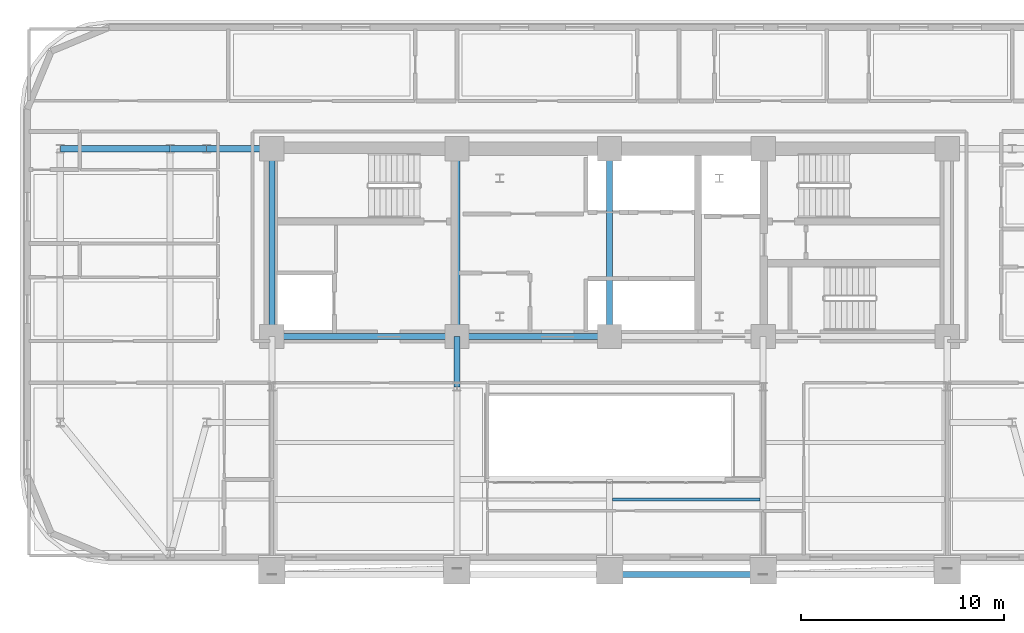
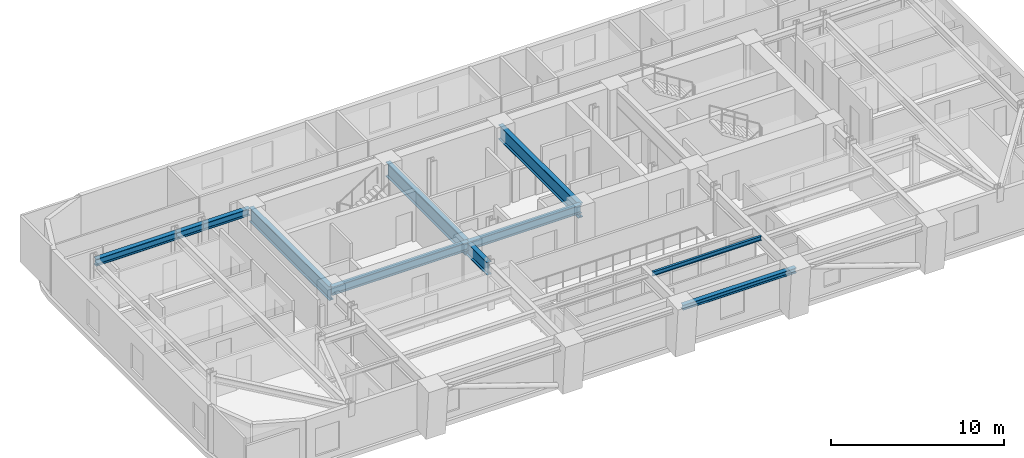
# One storey, part 3 of 14: 11 beams.
"""IFC4 building model written with IfcOpenShell, lengths in metres."""

from ifc_helpers import new_model, si_unit, direction, frame, origin, origin_2d, place, context, subcontext, project, spatial, i_section, extrude, material, material_profile, profile_set, type_object, element, save


model = new_model("IFC4")

# Units and contexts
model_context = context("Model", 3, precision=1e-05, world=origin(), true_north=direction((0.0, 1.0)))
body_context = subcontext(model_context, "Body", "Model", "MODEL_VIEW")
ifc_project = project(units=[si_unit("LENGTHUNIT", "METRE"), si_unit("AREAUNIT", "SQUARE_METRE"), si_unit("VOLUMEUNIT", "CUBIC_METRE"), si_unit("PLANEANGLEUNIT", "RADIAN"), si_unit("MASSUNIT", "GRAM", prefix="KILO")], contexts=[model_context])

# Site, building, storey
site_placement = place(None, origin())
site = spatial("IfcSite", under=ifc_project, at=site_placement, CompositionType="ELEMENT")
building_placement = place(site_placement, origin())
building = spatial("IfcBuilding", under=site, at=building_placement, Name="Zarnavel Station Tower", CompositionType="ELEMENT")
storey_placement = place(building_placement, frame((0.0, 0.0, 108.300048828125)))
storey = spatial("IfcBuildingStorey", under=building, at=storey_placement, Name="L29", CompositionType="ELEMENT", Elevation=108.300048828125)

# Beams
ifc_material_1 = material(Name="Steel S355J2", Category="steel")
ifc_material_profile_1 = material_profile(ifc_material_1, i_section(OverallWidth=0.300048828125, OverallDepth=0.360107421875, WebThickness=0.012451171875, FlangeThickness=0.0224609375, FilletRadius=0.027099609375, at=origin_2d()), Name="HEB360")
ifc_profile_set_1 = profile_set([ifc_material_profile_1], Name="Steel S355J2")
beam_type_1 = type_object("IfcBeamType", Name="EB_HEB360", PredefinedType="SPANDREL", material=ifc_profile_set_1)
beam_1_placement = place(storey_placement, frame((28.800048828125, 16.1201171875, 3.06005859375), z_axis=(1.0, 0.0, 0.0), x_axis=(0.0, 1.0, 0.0)))
element("IfcBeam", 1, at=beam_1_placement, inside=storey, type_object=beam_type_1, Name="L29 South Raked Spandrel 3", PredefinedType="SPANDREL", context=body_context, shape_type="SweptSolid", body=[
    extrude(i_section(OverallWidth=0.300048828125, OverallDepth=0.360107421875, WebThickness=0.012451171875, FlangeThickness=0.0224609375, FilletRadius=0.027099609375, at=origin_2d()), origin(), (0.0, 0.0, 1.0), 7.550048828125),
])
ifc_material_2 = material(Name="Steel S355J2", Category="steel")
ifc_material_profile_2 = material_profile(ifc_material_2, i_section(OverallWidth=0.300048828125, OverallDepth=0.5, WebThickness=0.014404296875, FlangeThickness=0.028076171875, FilletRadius=0.027099609375, at=origin_2d()), Name="HEB500")
ifc_profile_set_2 = profile_set([ifc_material_profile_2], Name="Steel S355J2")
beam_type_2 = type_object("IfcBeamType", Name="FG_HEB500", PredefinedType="USERDEFINED", material=ifc_profile_set_2)
beam_2_placement = place(storey_placement, frame((1.800048828125, 37.050048828125, 2.989990234375), z_axis=(1.0, 0.0, 0.0), x_axis=(0.0, 1.0, 0.0)))
element("IfcBeam", 2, at=beam_2_placement, inside=storey, type_object=beam_type_2, Name="L29 West Wing North Tie 1", ObjectType="GIRDER", PredefinedType="USERDEFINED", context=body_context, shape_type="SweptSolid", body=[
    extrude(i_section(OverallWidth=0.300048828125, OverallDepth=0.5, WebThickness=0.014404296875, FlangeThickness=0.028076171875, FilletRadius=0.027099609375, at=origin_2d()), origin(), (0.0, 0.0, 1.0), 5.39990234375),
])
beam_3_placement = place(storey_placement, frame((7.199951171875, 37.050048828125, 2.989990234375), z_axis=(1.0, 0.0, 0.0), x_axis=(0.0, 1.0, 0.0)))
element("IfcBeam", 3, at=beam_3_placement, inside=storey, type_object=beam_type_2, Name="L29 West Wing North Tie 2", ObjectType="GIRDER", PredefinedType="USERDEFINED", context=body_context, shape_type="SweptSolid", body=[
    extrude(i_section(OverallWidth=0.300048828125, OverallDepth=0.5, WebThickness=0.014404296875, FlangeThickness=0.028076171875, FilletRadius=0.027099609375, at=origin_2d()), origin(), (0.0, 0.0, 1.0), 1.800048828125),
])
beam_4_placement = place(storey_placement, frame((9.0, 37.050048828125, 2.989990234375), z_axis=(1.0, 0.0, 0.0), x_axis=(0.0, 1.0, 0.0)))
element("IfcBeam", 4, at=beam_4_placement, inside=storey, type_object=beam_type_2, Name="L29 West Wing North Tie 3", ObjectType="GIRDER", PredefinedType="USERDEFINED", context=body_context, shape_type="SweptSolid", body=[
    extrude(i_section(OverallWidth=0.300048828125, OverallDepth=0.5, WebThickness=0.014404296875, FlangeThickness=0.028076171875, FilletRadius=0.027099609375, at=origin_2d()), origin(), (0.0, 0.0, 1.0), 3.054931640625),
])
ifc_material_3 = material(Name="Steel S355J2", Category="steel")
ifc_material_profile_3 = material_profile(ifc_material_3, i_section(OverallWidth=0.300048828125, OverallDepth=0.60009765625, WebThickness=0.015380859375, FlangeThickness=0.030029296875, FilletRadius=0.027099609375, at=origin_2d()), Name="HEB600")
ifc_profile_set_3 = profile_set([ifc_material_profile_3], Name="Steel S355J2")
beam_type_3 = type_object("IfcBeamType", Name="FG_HEB600", PredefinedType="USERDEFINED", material=ifc_profile_set_3)
beam_5_placement = place(storey_placement, frame((12.199951171875, 27.820068359375, 2.93994140625), z_axis=(1.0, 0.0, 0.0), x_axis=(0.0, 1.0, 0.0)))
element("IfcBeam", 5, at=beam_5_placement, inside=storey, type_object=beam_type_3, Name="L29 Core Front Coupling Beam 1", ObjectType="GIRDER", PredefinedType="USERDEFINED", context=body_context, shape_type="SweptSolid", body=[
    extrude(i_section(OverallWidth=0.300048828125, OverallDepth=0.60009765625, WebThickness=0.015380859375, FlangeThickness=0.030029296875, FilletRadius=0.027099609375, at=origin_2d()), origin(), (0.0, 0.0, 1.0), 9.10009765625),
])
beam_6_placement = place(storey_placement, frame((21.300048828125, 27.820068359375, 2.93994140625), z_axis=(1.0, 0.0, 0.0), x_axis=(0.0, 1.0, 0.0)))
element("IfcBeam", 6, at=beam_6_placement, inside=storey, type_object=beam_type_3, Name="L29 Core Front Coupling Beam 2", ObjectType="GIRDER", PredefinedType="USERDEFINED", context=body_context, shape_type="SweptSolid", body=[
    extrude(i_section(OverallWidth=0.300048828125, OverallDepth=0.60009765625, WebThickness=0.015380859375, FlangeThickness=0.030029296875, FilletRadius=0.027099609375, at=origin_2d()), origin(), (0.0, 0.0, 1.0), 7.5),
])
ifc_material_4 = material(Name="Steel S355J2", Category="steel")
ifc_material_profile_4 = material_profile(ifc_material_4, i_section(OverallWidth=0.14990234375, OverallDepth=0.300048828125, WebThickness=0.007080078125, FlangeThickness=0.0107421875, FilletRadius=0.014892578125, at=origin_2d()), Name="IPE300")
ifc_profile_set_4 = profile_set([ifc_material_profile_4], Name="Steel S355J2")
beam_type_4 = type_object("IfcBeamType", Name="FJ_IPE300", PredefinedType="JOIST", material=ifc_profile_set_4)
beam_7_placement = place(storey_placement, frame((28.945068359375, 19.8134765625, 3.08984375), z_axis=(1.0, 0.0, 0.0), x_axis=(0.0, 1.0, 0.0)))
element("IfcBeam", 7, at=beam_7_placement, inside=storey, type_object=beam_type_4, Name="L29 Mid-East Joist 1", PredefinedType="JOIST", context=body_context, shape_type="SweptSolid", body=[
    extrude(i_section(OverallWidth=0.14990234375, OverallDepth=0.300048828125, WebThickness=0.007080078125, FlangeThickness=0.0107421875, FilletRadius=0.014892578125, at=origin_2d()), origin(), (0.0, 0.0, 1.0), 7.260009765625),
])
ifc_material_5 = material(Name="Steel S460M", Category="steel")
ifc_material_profile_5 = material_profile(ifc_material_5, i_section(OverallWidth=0.302001953125, OverallDepth=1.008056640625, WebThickness=0.02099609375, FlangeThickness=0.0400390625, FilletRadius=0.030029296875, at=origin_2d()), Name="HEM1000")
ifc_profile_set_5 = profile_set([ifc_material_profile_5], Name="Steel S460M")
beam_type_5 = type_object("IfcBeamType", Name="TG_HEM1000", PredefinedType="USERDEFINED", material=ifc_profile_set_5)
for number, where, z_axis, x_axis, name in (
    (8, (12.199951171875, 27.820068359375, 2.73583984375), (0.0, 1.0, 0.0), (-1.0, 0.0, 0.0), "L29 Core Spine Coupling Girder 1"),
    (9, (21.300048828125, 27.820068359375, 2.73583984375), (0.0, 1.0, 0.0), (-1.0, 0.0, 0.0), "L29 Core Spine Coupling Girder 2"),
    (10, (28.800048828125, 27.820068359375, 2.73583984375), (0.0, 1.0, 0.0), (-1.0, 0.0, 0.0), "L29 Core Spine Coupling Girder 3"),
):
    element("IfcBeam", number, at=place(storey_placement, frame(where, z_axis=z_axis, x_axis=x_axis)), inside=storey, type_object=beam_type_5, Name=name, ObjectType="GIRDER", PredefinedType="USERDEFINED", context=body_context, shape_type="SweptSolid", body=[
        extrude(i_section(OverallWidth=0.302001953125, OverallDepth=1.008056640625, WebThickness=0.02099609375, FlangeThickness=0.0400390625, FilletRadius=0.030029296875, at=origin_2d()), origin(), (0.0, 0.0, 1.0), 9.22998046875),
    ])
ifc_material_6 = material(Name="Steel S460M", Category="steel")
ifc_material_profile_6 = material_profile(ifc_material_6, i_section(OverallWidth=0.302001953125, OverallDepth=0.909912109375, WebThickness=0.02099609375, FlangeThickness=0.0400390625, FilletRadius=0.030029296875, at=origin_2d()), Name="HEM900")
ifc_profile_set_6 = profile_set([ifc_material_profile_6], Name="Steel S460M")
beam_type_6 = type_object("IfcBeamType", Name="TG_HEM900", PredefinedType="USERDEFINED", material=ifc_profile_set_6)
beam_8_placement = place(storey_placement, frame((21.300048828125, 25.35009765625, 2.784912109375), z_axis=(0.0, 1.0, 0.0), x_axis=(-1.0, 0.0, 0.0)))
element("IfcBeam", 11, at=beam_8_placement, inside=storey, type_object=beam_type_6, Name="L29 Inner-Zone NS Girder 2", ObjectType="GIRDER", PredefinedType="USERDEFINED", context=body_context, shape_type="SweptSolid", body=[
    extrude(i_section(OverallWidth=0.302001953125, OverallDepth=0.909912109375, WebThickness=0.02099609375, FlangeThickness=0.0400390625, FilletRadius=0.030029296875, at=origin_2d()), origin(), (0.0, 0.0, 1.0), 2.469970703125),
])

save(model, "model.ifc")
